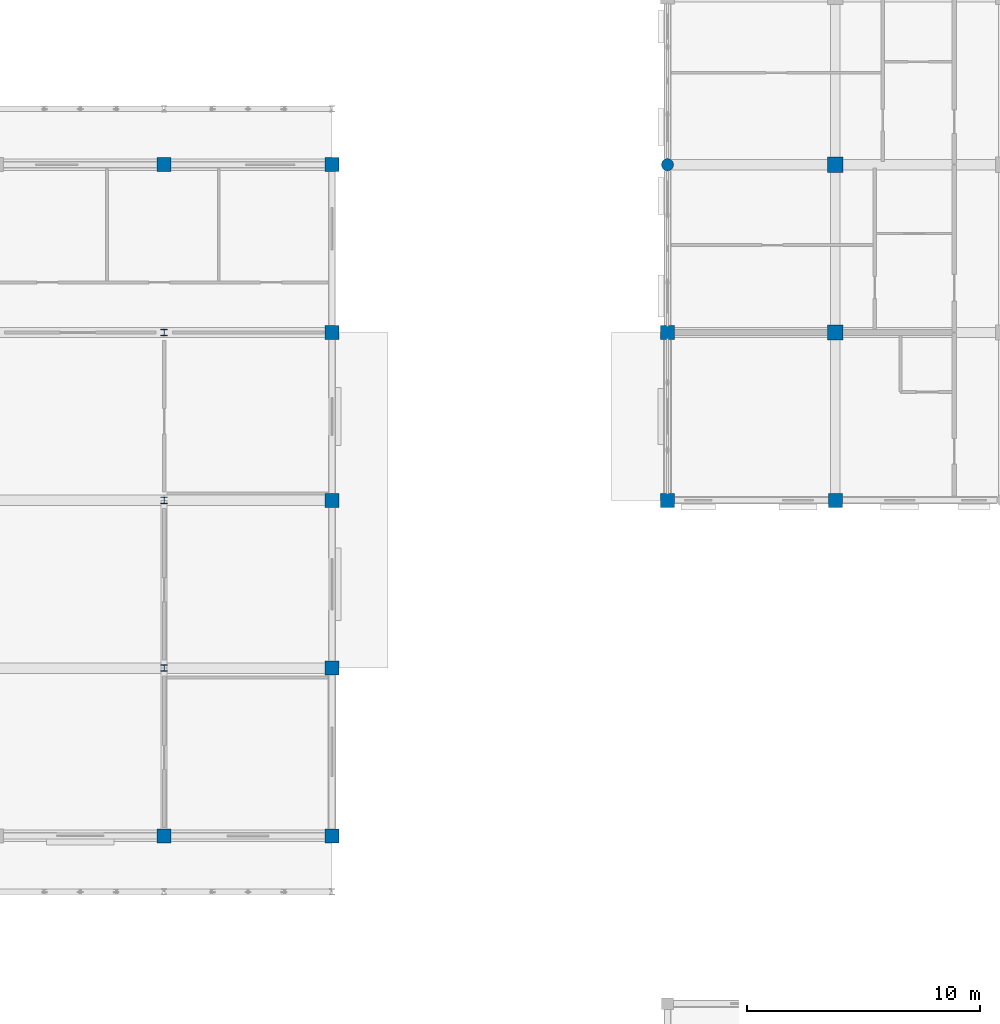
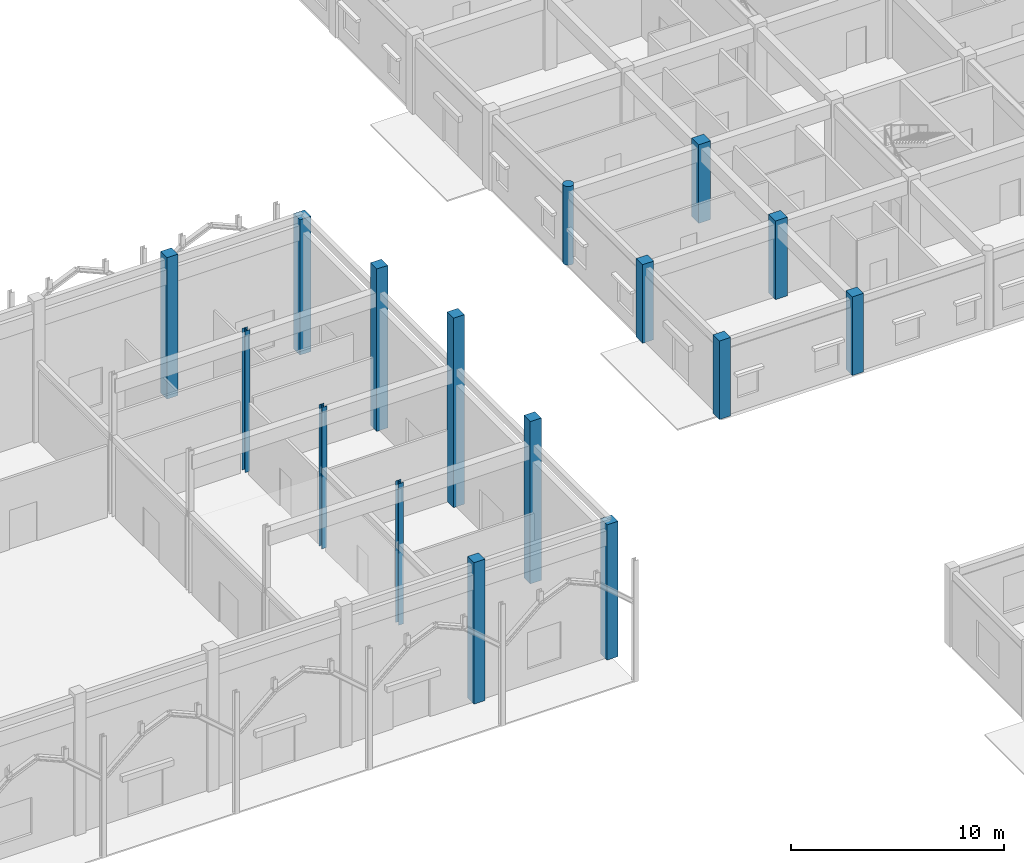
# One storey, part 10 of 138: 16 columns.
"""IFC4 building model written with IfcOpenShell, lengths in metres."""

import ifcopenshell
import ifcopenshell.guid

model = None  # the IFC model being written
_history = None  # IfcOwnerHistory: only IFC2X3 demands one
_inside = {}  # id of a spatial element -> (the spatial element, [elements in it])
_under = {}  # id of a project, library or spatial element -> (it, [spatial elements below it])
_declared = {}  # id of a project -> (the project, [libraries it declares])
_typed = {}  # id of a type object -> (the type object, [elements of that type])
_made_of = {}  # id of a material, layer set ... -> (it, [elements and type objects made of it])


def new_model(schema):
    """Start an empty IFC model of exactly this schema.

    Asked for "IFC4X3", IfcOpenShell would pick the latest addendum, in which some entities
    have other attributes; the version numbers below select the first issue.
    IFC2X3 requires an IfcOwnerHistory on every rooted entity: one is made here for all.
    """
    global model, _history
    if schema == "IFC4X3":
        model = ifcopenshell.file(schema_version=(4, 3, 0, 0))
    else:
        model = ifcopenshell.file(schema=schema)
    _inside.clear()
    _under.clear()
    _declared.clear()
    _typed.clear()
    _made_of.clear()
    _history = None
    if model.schema == "IFC2X3":
        org = make("IfcOrganization", Name="unknown")
        user = make(
            "IfcPersonAndOrganization",
            ThePerson=make("IfcPerson", FamilyName="unknown"),
            TheOrganization=org,
        )
        app = make(
            "IfcApplication",
            ApplicationDeveloper=org,
            Version="unknown",
            ApplicationFullName="unknown",
            ApplicationIdentifier="unknown",
        )
        _history = make(
            "IfcOwnerHistory",
            OwningUser=user,
            OwningApplication=app,
            ChangeAction="ADDED",
            CreationDate=0,
        )
    return model


def make(cls, **values):
    """One entity of the class cls with the attributes given. An attribute that is None is left unset."""
    return model.create_entity(
        cls, **{name: value for name, value in values.items() if value is not None}
    )


def rooted(cls, **values):
    """An entity with a GlobalId (a new one), such as an element, a storey or a relation."""
    return make(cls, GlobalId=ifcopenshell.guid.new(), OwnerHistory=_history, **values)


def si_unit(unit_type, name, prefix=None):
    """IfcSIUnit, for example si_unit("LENGTHUNIT", "METRE", prefix="MILLI")."""
    return make("IfcSIUnit", UnitType=unit_type, Prefix=prefix, Name=name)


def assignment(units):
    """IfcUnitAssignment: the units of a project."""
    return None if units is None else make("IfcUnitAssignment", Units=units)


def point(xyz):
    """IfcCartesianPoint."""
    return None if xyz is None else make("IfcCartesianPoint", Coordinates=xyz)


def direction(xyz):
    """IfcDirection."""
    return None if xyz is None else make("IfcDirection", DirectionRatios=xyz)


def frame(location, z_axis=None, x_axis=None):
    """IfcAxis2Placement3D, a coordinate frame: its origin and axes. An axis left out is left unset."""
    return make(
        "IfcAxis2Placement3D",
        Location=point(location),
        Axis=direction(z_axis),
        RefDirection=direction(x_axis),
    )


def frame_2d(location, x_axis=None):
    """IfcAxis2Placement2D, a coordinate frame in the plane: its origin and x axis."""
    return make(
        "IfcAxis2Placement2D", Location=point(location), RefDirection=direction(x_axis)
    )


def origin():
    """The frame at (0, 0, 0) with its axes left unset."""
    return frame((0.0, 0.0, 0.0))


def origin_2d():
    """The frame at (0, 0) in the plane with its x axis left unset."""
    return frame_2d((0.0, 0.0))


def place(relative_to, where):
    """IfcLocalPlacement: puts the frame where relative to a parent placement (None: the world)."""
    return make(
        "IfcLocalPlacement", PlacementRelTo=relative_to, RelativePlacement=where
    )


def context(
    kind, dimensions, precision=None, world=None, true_north=None, identifier=None
):
    """IfcGeometricRepresentationContext, for example the 3D "Model" context."""
    return make(
        "IfcGeometricRepresentationContext",
        ContextIdentifier=identifier,
        ContextType=kind,
        CoordinateSpaceDimension=dimensions,
        Precision=precision,
        WorldCoordinateSystem=world,
        TrueNorth=true_north,
    )


def subcontext(parent, identifier, kind, view, scale=None):
    """IfcGeometricRepresentationSubContext, for example "Body" below "Model"."""
    return make(
        "IfcGeometricRepresentationSubContext",
        ContextIdentifier=identifier,
        ContextType=kind,
        ParentContext=parent,
        TargetScale=scale,
        TargetView=view,
    )


def project(units=None, contexts=None):
    """IfcProject with its units and contexts."""
    return rooted(
        "IfcProject",
        Name="project",
        RepresentationContexts=contexts,
        UnitsInContext=assignment(units),
    )


def spatial(cls, under=None, at=None, **own):
    """A site, building, storey or space (cls), placed at a placement, below another one or the project."""
    s = rooted(cls, ObjectPlacement=at, **own)
    if under is not None:
        _under.setdefault(under.id(), (under, []))[1].append(s)
    return s


def profile(cls, at=None, kind="AREA", **sizes):
    """A parametric profile (cls). Its sizes go by their IFC names, for example OverallWidth=200.0."""
    return make(cls, ProfileType=kind, Position=at, **sizes)


def rectangle(**sizes):
    """IfcRectangleProfileDef."""
    return profile("IfcRectangleProfileDef", **sizes)


def circle(**sizes):
    """IfcCircleProfileDef."""
    return profile("IfcCircleProfileDef", **sizes)


def i_section(**sizes):
    """IfcIShapeProfileDef."""
    return profile("IfcIShapeProfileDef", **sizes)


def extrude(swept, where, along, depth):
    """IfcExtrudedAreaSolid: the profile swept, set in the frame where, extruded along a direction by depth."""
    return make(
        "IfcExtrudedAreaSolid",
        SweptArea=swept,
        Position=where,
        ExtrudedDirection=direction(along),
        Depth=depth,
    )


def shape(context_of_items, identifier, shape_type, items):
    """IfcShapeRepresentation: the items that make up one representation, for example the "Body"."""
    return make(
        "IfcShapeRepresentation",
        ContextOfItems=context_of_items,
        RepresentationIdentifier=identifier,
        RepresentationType=shape_type,
        Items=items,
    )


def material(Name=None, Category=None):
    """IfcMaterial."""
    return make("IfcMaterial", Name=Name, Category=Category)


def material_profile(
    of_material, cross_section, Name=None, Category=None, Priority=None
):
    """IfcMaterialProfile: a cross section and its material."""
    return make(
        "IfcMaterialProfile",
        Name=Name,
        Material=of_material,
        Profile=cross_section,
        Priority=Priority,
        Category=Category,
    )


def profile_set(profiles, Name=None, composite=None):
    """IfcMaterialProfileSet."""
    return make(
        "IfcMaterialProfileSet",
        Name=Name,
        MaterialProfiles=profiles,
        CompositeProfile=composite,
    )


def made_of(thing, what):
    """Note that an element or type object is made of a material, layer set ...; save() writes the relation."""
    if what is not None:
        _made_of.setdefault(what.id(), (what, []))[1].append(thing)
    return thing


def type_object(cls, material=None, **own):
    """A type object (cls), such as IfcWallType, which elements share."""
    return made_of(rooted(cls, **own), material)


def element(
    cls,
    number,
    at=None,
    inside=None,
    cuts=None,
    type_object=None,
    material=None,
    context=None,
    identifier="Body",
    shape_type=None,
    held_by="IfcProductDefinitionShape",
    body=None,
    shapes=None,
    **own,
):
    """One element of the class cls, such as IfcWall. Its Tag is "e" and its number.

    at: its placement. inside: the storey or other place that contains it. cuts: it is an
    opening in that element (IfcRelVoidsElement). A single representation is given by context,
    identifier, shape_type and body (its items); several are given by shapes. held_by: the class
    of the entity that holds the representations. save() writes the other relations.
    """
    e = rooted(cls, Tag="e%d" % number, ObjectPlacement=at, **own)
    if body is not None:
        shapes = [shape(context, identifier, shape_type, body)]
    if shapes is not None:
        e.Representation = make(held_by, Representations=shapes)
    if inside is not None:
        _inside.setdefault(inside.id(), (inside, []))[1].append(e)
    if cuts is not None:
        rooted(
            "IfcRelVoidsElement", RelatingBuildingElement=cuts, RelatedOpeningElement=e
        )
    if type_object is not None:
        _typed.setdefault(type_object.id(), (type_object, []))[1].append(e)
    return made_of(e, material)


def aggregate(whole, parts):
    """IfcRelAggregates: a whole, such as a stair, and the parts it consists of."""
    return rooted("IfcRelAggregates", RelatingObject=whole, RelatedObjects=parts)


def save(model, path):
    """Write the relations noted so far, then the file.

    IfcRelAggregates (storeys below a building ...), IfcRelContainedInSpatialStructure (elements
    in a storey), IfcRelDefinesByType, IfcRelAssociatesMaterial and IfcRelDeclares: one each for
    every whole, place, type object, material and project.
    """
    for whole, parts in _under.values():
        aggregate(whole, parts)
    for where, things in _inside.values():
        rooted(
            "IfcRelContainedInSpatialStructure",
            RelatedElements=things,
            RelatingStructure=where,
        )
    for kind, things in _typed.values():
        rooted("IfcRelDefinesByType", RelatedObjects=things, RelatingType=kind)
    for what, things in _made_of.values():
        rooted("IfcRelAssociatesMaterial", RelatedObjects=things, RelatingMaterial=what)
    for by, libraries in _declared.values():
        rooted("IfcRelDeclares", RelatingContext=by, RelatedDefinitions=libraries)
    model.write(path)


model = new_model("IFC4")

# Units and contexts
model_context = context("Model", 3, precision=1e-05, world=origin(), true_north=direction((0.0, 1.0)))
body_context = subcontext(model_context, "Body", "Model", "MODEL_VIEW")
ifc_project = project(units=[si_unit("LENGTHUNIT", "METRE"), si_unit("AREAUNIT", "SQUARE_METRE"), si_unit("VOLUMEUNIT", "CUBIC_METRE"), si_unit("PLANEANGLEUNIT", "RADIAN"), si_unit("MASSUNIT", "GRAM", prefix="KILO"), si_unit("THERMODYNAMICTEMPERATUREUNIT", "KELVIN"), si_unit("POWERUNIT", "WATT")], contexts=[model_context])

# Site, building, storey
site_placement = place(None, origin())
site = spatial("IfcSite", under=ifc_project, at=site_placement, CompositionType="ELEMENT")
building_placement = place(site_placement, origin())
building = spatial("IfcBuilding", under=site, at=building_placement, Name="Tavuni Mirador Residences", CompositionType="ELEMENT")
storey_placement = place(building_placement, origin())
storey = spatial("IfcBuildingStorey", under=building, at=storey_placement, Name="L00", CompositionType="ELEMENT", Elevation=0.0)

# Columns
ifc_material_1 = material(Name="Precast concrete C40/50", Category="concrete")
ifc_material_profile_1 = material_profile(ifc_material_1, rectangle(XDim=0.60009765625, YDim=0.60009765625, at=origin_2d()), Name="RC 600x600", Category="concrete")
ifc_profile_set_1 = profile_set([ifc_material_profile_1], Name="Precast concrete C40/50")
column_type_1 = type_object("IfcColumnType", Name="CT-RC600", PredefinedType="COLUMN", material=ifc_profile_set_1)
for number, where, z_axis, x_axis, name in (
    (1, (90.0, 86.39990234375, 0.0), (0.0, 0.0, 1.0), (1.0, 0.0, 0.0), "COL-BLK-D-L00-00-00"),
    (2, (90.0, 93.60009765625, 0.0), (0.0, 0.0, 1.0), (1.0, 0.0, 0.0), "COL-BLK-D-L00-00-01"),
    (3, (97.199951171875, 86.39990234375, 0.0), (0.0, 0.0, 1.0), (1.0, 0.0, 0.0), "COL-BLK-D-L00-01-00"),
):
    element("IfcColumn", number, at=place(storey_placement, frame(where, z_axis=z_axis, x_axis=x_axis)), inside=storey, type_object=column_type_1, Name=name, PredefinedType="COLUMN", context=body_context, shape_type="SweptSolid", body=[
        extrude(rectangle(XDim=0.60009765625, YDim=0.60009765625, at=origin_2d()), origin(), (0.0, 0.0, 1.0), 4.5),
    ])
for number, where, z_axis, x_axis, name in (
    (4, (68.39990234375, 72.0, 0.0), (0.0, 0.0, 1.0), (1.0, 0.0, 0.0), "COL-PAV-HALL-L00-04-00"),
    (5, (68.39990234375, 100.800048828125, 0.0), (0.0, 0.0, 1.0), (1.0, 0.0, 0.0), "COL-PAV-HALL-L00-04-04"),
):
    element("IfcColumn", number, at=place(storey_placement, frame(where, z_axis=z_axis, x_axis=x_axis)), inside=storey, type_object=column_type_1, Name=name, PredefinedType="COLUMN", context=body_context, shape_type="SweptSolid", body=[
        extrude(rectangle(XDim=0.60009765625, YDim=0.60009765625, at=origin_2d()), origin(), (0.0, 0.0, 1.0), 8.10009765625),
    ])
column_1_placement = place(storey_placement, frame((75.60009765625, 72.0, 0.0), z_axis=(0.0, 0.0, 1.0), x_axis=(1.0, 0.0, 0.0)))
element("IfcColumn", 6, at=column_1_placement, inside=storey, type_object=column_type_1, Name="COL-PAV-HALL-L00-05-00", PredefinedType="COLUMN", context=body_context, shape_type="SweptSolid", body=[
    extrude(rectangle(XDim=0.60009765625, YDim=0.60009765625, at=origin_2d()), origin(), (0.0, 0.0, 1.0), 7.7451171875),
])
column_2_placement = place(storey_placement, frame((75.60009765625, 79.199951171875, 0.0), z_axis=(0.0, 0.0, 1.0), x_axis=(1.0, 0.0, 0.0)))
element("IfcColumn", 7, at=column_2_placement, inside=storey, type_object=column_type_1, Name="COL-PAV-HALL-L00-05-01", PredefinedType="COLUMN", context=body_context, shape_type="SweptSolid", body=[
    extrude(rectangle(XDim=0.60009765625, YDim=0.60009765625, at=origin_2d()), origin(), (0.0, 0.0, 1.0), 9.294921875),
])
column_3_placement = place(storey_placement, frame((75.60009765625, 86.39990234375, 0.0), z_axis=(0.0, 0.0, 1.0), x_axis=(1.0, 0.0, 0.0)))
element("IfcColumn", 8, at=column_3_placement, inside=storey, type_object=column_type_1, Name="COL-PAV-HALL-L00-05-02", PredefinedType="COLUMN", context=body_context, shape_type="SweptSolid", body=[
    extrude(rectangle(XDim=0.60009765625, YDim=0.60009765625, at=origin_2d()), origin(), (0.0, 0.0, 1.0), 10.844970703125),
])
column_4_placement = place(storey_placement, frame((75.60009765625, 93.60009765625, 0.0), z_axis=(0.0, 0.0, 1.0), x_axis=(1.0, 0.0, 0.0)))
element("IfcColumn", 9, at=column_4_placement, inside=storey, type_object=column_type_1, Name="COL-PAV-HALL-L00-05-03", PredefinedType="COLUMN", context=body_context, shape_type="SweptSolid", body=[
    extrude(rectangle(XDim=0.60009765625, YDim=0.60009765625, at=origin_2d()), origin(), (0.0, 0.0, 1.0), 9.294921875),
])
column_5_placement = place(storey_placement, frame((75.60009765625, 100.800048828125, 0.0), z_axis=(0.0, 0.0, 1.0), x_axis=(1.0, 0.0, 0.0)))
element("IfcColumn", 10, at=column_5_placement, inside=storey, type_object=column_type_1, Name="COL-PAV-HALL-L00-05-04", PredefinedType="COLUMN", context=body_context, shape_type="SweptSolid", body=[
    extrude(rectangle(XDim=0.60009765625, YDim=0.60009765625, at=origin_2d()), origin(), (0.0, 0.0, 1.0), 7.7451171875),
])
ifc_material_2 = material(Name="In-situ concrete C35/45", Category="concrete")
ifc_material_profile_2 = material_profile(ifc_material_2, rectangle(XDim=0.64990234375, YDim=0.64990234375, at=origin_2d()), Name="RC 650x650", Category="concrete")
ifc_profile_set_2 = profile_set([ifc_material_profile_2], Name="In-situ concrete C35/45")
column_type_2 = type_object("IfcColumnType", Name="CT-RC650", PredefinedType="COLUMN", material=ifc_profile_set_2)
for number, where, z_axis, x_axis, name in (
    (11, (97.199951171875, 93.60009765625, 0.0), (0.0, 0.0, 1.0), (1.0, 0.0, 0.0), "COL-BLK-D-L00-01-01"),
    (12, (97.199951171875, 100.800048828125, 0.0), (0.0, 0.0, 1.0), (1.0, 0.0, 0.0), "COL-BLK-D-L00-01-02"),
):
    element("IfcColumn", number, at=place(storey_placement, frame(where, z_axis=z_axis, x_axis=x_axis)), inside=storey, type_object=column_type_2, Name=name, PredefinedType="COLUMN", context=body_context, shape_type="SweptSolid", body=[
        extrude(rectangle(XDim=0.64990234375, YDim=0.64990234375, at=origin_2d()), origin(), (0.0, 0.0, 1.0), 4.5),
    ])
ifc_material_profile_3 = material_profile(ifc_material_1, circle(Radius=0.260009765625, at=origin_2d()), Name="RC D520", Category="concrete")
ifc_profile_set_3 = profile_set([ifc_material_profile_3], Name="Precast concrete C40/50")
column_type_3 = type_object("IfcColumnType", Name="CT-RCD520", PredefinedType="COLUMN", material=ifc_profile_set_3)
column_6_placement = place(storey_placement, frame((90.0, 100.800048828125, 0.0), z_axis=(0.0, 0.0, 1.0), x_axis=(1.0, 0.0, 0.0)))
element("IfcColumn", 13, at=column_6_placement, inside=storey, type_object=column_type_3, Name="COL-BLK-D-L00-00-02", PredefinedType="COLUMN", context=body_context, shape_type="SweptSolid", body=[
    extrude(circle(Radius=0.260009765625, at=origin_2d()), origin(), (0.0, 0.0, 1.0), 4.5),
])
ifc_material_3 = material(Name="Structural steel S355", Category="steel")
ifc_material_profile_4 = material_profile(ifc_material_3, i_section(OverallWidth=0.280029296875, OverallDepth=0.280029296875, WebThickness=0.010498046875, FlangeThickness=0.01806640625, FilletRadius=0.02392578125, at=origin_2d()), Name="HEB 280", Category="steel")
ifc_profile_set_4 = profile_set([ifc_material_profile_4], Name="Structural steel S355")
column_type_4 = type_object("IfcColumnType", Name="CT-ST-HEB280", PredefinedType="COLUMN", material=ifc_profile_set_4)
for number, where, z_axis, x_axis, name in (
    (14, (68.39990234375, 79.199951171875, 0.0), (0.0, 0.0, 1.0), (1.0, 0.0, 0.0), "COL-PAV-HALL-L00-04-01"),
    (15, (68.39990234375, 86.39990234375, 0.0), (0.0, 0.0, 1.0), (1.0, 0.0, 0.0), "COL-PAV-HALL-L00-04-02"),
    (16, (68.39990234375, 93.60009765625, 0.0), (0.0, 0.0, 1.0), (1.0, 0.0, 0.0), "COL-PAV-HALL-L00-04-03"),
):
    element("IfcColumn", number, at=place(storey_placement, frame(where, z_axis=z_axis, x_axis=x_axis)), inside=storey, type_object=column_type_4, Name=name, PredefinedType="COLUMN", context=body_context, shape_type="SweptSolid", body=[
        extrude(i_section(OverallWidth=0.280029296875, OverallDepth=0.280029296875, WebThickness=0.010498046875, FlangeThickness=0.01806640625, FilletRadius=0.02392578125, at=origin_2d()), origin(), (0.0, 0.0, 1.0), 8.10009765625),
    ])

save(model, "model.ifc")
